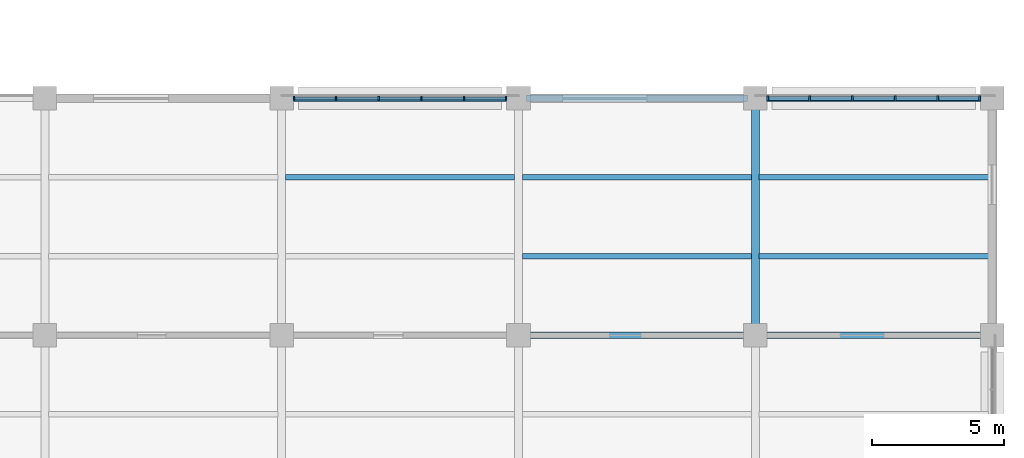
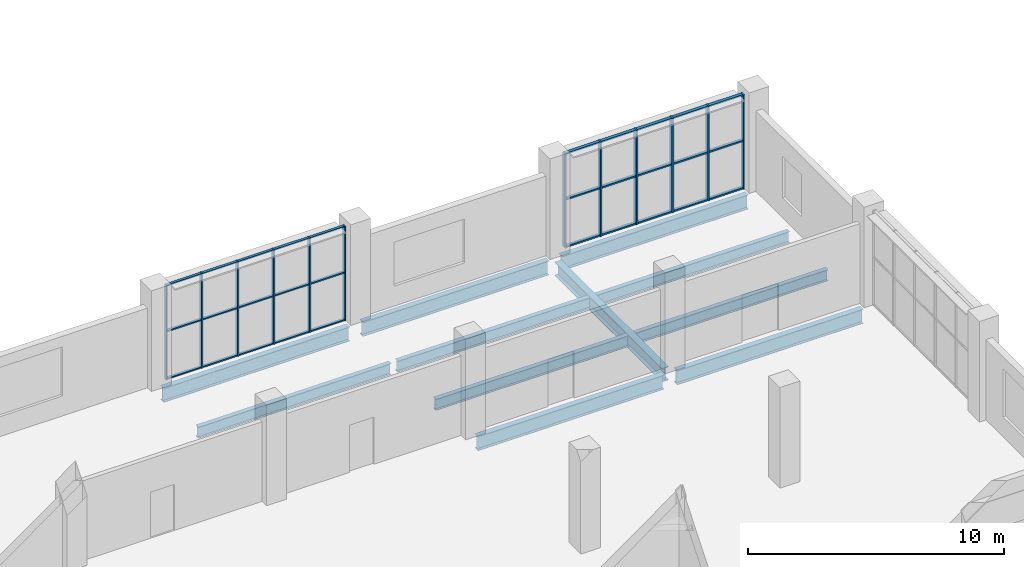
# One storey, part 35 of 183: 42 members, 11 beams, 2 elements without a shape of their own.
"""IFC4 building model written with IfcOpenShell, lengths in metres."""

import ifcopenshell
import ifcopenshell.guid

model = None  # the IFC model being written
_history = None  # IfcOwnerHistory: only IFC2X3 demands one
_inside = {}  # id of a spatial element -> (the spatial element, [elements in it])
_under = {}  # id of a project, library or spatial element -> (it, [spatial elements below it])
_declared = {}  # id of a project -> (the project, [libraries it declares])
_typed = {}  # id of a type object -> (the type object, [elements of that type])
_made_of = {}  # id of a material, layer set ... -> (it, [elements and type objects made of it])


def new_model(schema):
    """Start an empty IFC model of exactly this schema.

    Asked for "IFC4X3", IfcOpenShell would pick the latest addendum, in which some entities
    have other attributes; the version numbers below select the first issue.
    IFC2X3 requires an IfcOwnerHistory on every rooted entity: one is made here for all.
    """
    global model, _history
    if schema == "IFC4X3":
        model = ifcopenshell.file(schema_version=(4, 3, 0, 0))
    else:
        model = ifcopenshell.file(schema=schema)
    _inside.clear()
    _under.clear()
    _declared.clear()
    _typed.clear()
    _made_of.clear()
    _history = None
    if model.schema == "IFC2X3":
        org = make("IfcOrganization", Name="unknown")
        user = make(
            "IfcPersonAndOrganization",
            ThePerson=make("IfcPerson", FamilyName="unknown"),
            TheOrganization=org,
        )
        app = make(
            "IfcApplication",
            ApplicationDeveloper=org,
            Version="unknown",
            ApplicationFullName="unknown",
            ApplicationIdentifier="unknown",
        )
        _history = make(
            "IfcOwnerHistory",
            OwningUser=user,
            OwningApplication=app,
            ChangeAction="ADDED",
            CreationDate=0,
        )
    return model


def make(cls, **values):
    """One entity of the class cls with the attributes given. An attribute that is None is left unset."""
    return model.create_entity(
        cls, **{name: value for name, value in values.items() if value is not None}
    )


def rooted(cls, **values):
    """An entity with a GlobalId (a new one), such as an element, a storey or a relation."""
    return make(cls, GlobalId=ifcopenshell.guid.new(), OwnerHistory=_history, **values)


def si_unit(unit_type, name, prefix=None):
    """IfcSIUnit, for example si_unit("LENGTHUNIT", "METRE", prefix="MILLI")."""
    return make("IfcSIUnit", UnitType=unit_type, Prefix=prefix, Name=name)


def assignment(units):
    """IfcUnitAssignment: the units of a project."""
    return None if units is None else make("IfcUnitAssignment", Units=units)


def point(xyz):
    """IfcCartesianPoint."""
    return None if xyz is None else make("IfcCartesianPoint", Coordinates=xyz)


def direction(xyz):
    """IfcDirection."""
    return None if xyz is None else make("IfcDirection", DirectionRatios=xyz)


def frame(location, z_axis=None, x_axis=None):
    """IfcAxis2Placement3D, a coordinate frame: its origin and axes. An axis left out is left unset."""
    return make(
        "IfcAxis2Placement3D",
        Location=point(location),
        Axis=direction(z_axis),
        RefDirection=direction(x_axis),
    )


def frame_2d(location, x_axis=None):
    """IfcAxis2Placement2D, a coordinate frame in the plane: its origin and x axis."""
    return make(
        "IfcAxis2Placement2D", Location=point(location), RefDirection=direction(x_axis)
    )


def origin():
    """The frame at (0, 0, 0) with its axes left unset."""
    return frame((0.0, 0.0, 0.0))


def origin_2d():
    """The frame at (0, 0) in the plane with its x axis left unset."""
    return frame_2d((0.0, 0.0))


def place(relative_to, where):
    """IfcLocalPlacement: puts the frame where relative to a parent placement (None: the world)."""
    return make(
        "IfcLocalPlacement", PlacementRelTo=relative_to, RelativePlacement=where
    )


def context(
    kind, dimensions, precision=None, world=None, true_north=None, identifier=None
):
    """IfcGeometricRepresentationContext, for example the 3D "Model" context."""
    return make(
        "IfcGeometricRepresentationContext",
        ContextIdentifier=identifier,
        ContextType=kind,
        CoordinateSpaceDimension=dimensions,
        Precision=precision,
        WorldCoordinateSystem=world,
        TrueNorth=true_north,
    )


def subcontext(parent, identifier, kind, view, scale=None):
    """IfcGeometricRepresentationSubContext, for example "Body" below "Model"."""
    return make(
        "IfcGeometricRepresentationSubContext",
        ContextIdentifier=identifier,
        ContextType=kind,
        ParentContext=parent,
        TargetScale=scale,
        TargetView=view,
    )


def project(units=None, contexts=None):
    """IfcProject with its units and contexts."""
    return rooted(
        "IfcProject",
        Name="project",
        RepresentationContexts=contexts,
        UnitsInContext=assignment(units),
    )


def spatial(cls, under=None, at=None, **own):
    """A site, building, storey or space (cls), placed at a placement, below another one or the project."""
    s = rooted(cls, ObjectPlacement=at, **own)
    if under is not None:
        _under.setdefault(under.id(), (under, []))[1].append(s)
    return s


def profile(cls, at=None, kind="AREA", **sizes):
    """A parametric profile (cls). Its sizes go by their IFC names, for example OverallWidth=200.0."""
    return make(cls, ProfileType=kind, Position=at, **sizes)


def rectangle(**sizes):
    """IfcRectangleProfileDef."""
    return profile("IfcRectangleProfileDef", **sizes)


def i_section(**sizes):
    """IfcIShapeProfileDef."""
    return profile("IfcIShapeProfileDef", **sizes)


def extrude(swept, where, along, depth):
    """IfcExtrudedAreaSolid: the profile swept, set in the frame where, extruded along a direction by depth."""
    return make(
        "IfcExtrudedAreaSolid",
        SweptArea=swept,
        Position=where,
        ExtrudedDirection=direction(along),
        Depth=depth,
    )


def shape(context_of_items, identifier, shape_type, items):
    """IfcShapeRepresentation: the items that make up one representation, for example the "Body"."""
    return make(
        "IfcShapeRepresentation",
        ContextOfItems=context_of_items,
        RepresentationIdentifier=identifier,
        RepresentationType=shape_type,
        Items=items,
    )


def material(Name=None, Category=None):
    """IfcMaterial."""
    return make("IfcMaterial", Name=Name, Category=Category)


def material_profile(
    of_material, cross_section, Name=None, Category=None, Priority=None
):
    """IfcMaterialProfile: a cross section and its material."""
    return make(
        "IfcMaterialProfile",
        Name=Name,
        Material=of_material,
        Profile=cross_section,
        Priority=Priority,
        Category=Category,
    )


def profile_set(profiles, Name=None, composite=None):
    """IfcMaterialProfileSet."""
    return make(
        "IfcMaterialProfileSet",
        Name=Name,
        MaterialProfiles=profiles,
        CompositeProfile=composite,
    )


def made_of(thing, what):
    """Note that an element or type object is made of a material, layer set ...; save() writes the relation."""
    if what is not None:
        _made_of.setdefault(what.id(), (what, []))[1].append(thing)
    return thing


def type_object(cls, material=None, **own):
    """A type object (cls), such as IfcWallType, which elements share."""
    return made_of(rooted(cls, **own), material)


def element(
    cls,
    number,
    at=None,
    inside=None,
    cuts=None,
    type_object=None,
    material=None,
    context=None,
    identifier="Body",
    shape_type=None,
    held_by="IfcProductDefinitionShape",
    body=None,
    shapes=None,
    **own,
):
    """One element of the class cls, such as IfcWall. Its Tag is "e" and its number.

    at: its placement. inside: the storey or other place that contains it. cuts: it is an
    opening in that element (IfcRelVoidsElement). A single representation is given by context,
    identifier, shape_type and body (its items); several are given by shapes. held_by: the class
    of the entity that holds the representations. save() writes the other relations.
    """
    e = rooted(cls, Tag="e%d" % number, ObjectPlacement=at, **own)
    if body is not None:
        shapes = [shape(context, identifier, shape_type, body)]
    if shapes is not None:
        e.Representation = make(held_by, Representations=shapes)
    if inside is not None:
        _inside.setdefault(inside.id(), (inside, []))[1].append(e)
    if cuts is not None:
        rooted(
            "IfcRelVoidsElement", RelatingBuildingElement=cuts, RelatedOpeningElement=e
        )
    if type_object is not None:
        _typed.setdefault(type_object.id(), (type_object, []))[1].append(e)
    return made_of(e, material)


def aggregate(whole, parts):
    """IfcRelAggregates: a whole, such as a stair, and the parts it consists of."""
    return rooted("IfcRelAggregates", RelatingObject=whole, RelatedObjects=parts)


def save(model, path):
    """Write the relations noted so far, then the file.

    IfcRelAggregates (storeys below a building ...), IfcRelContainedInSpatialStructure (elements
    in a storey), IfcRelDefinesByType, IfcRelAssociatesMaterial and IfcRelDeclares: one each for
    every whole, place, type object, material and project.
    """
    for whole, parts in _under.values():
        aggregate(whole, parts)
    for where, things in _inside.values():
        rooted(
            "IfcRelContainedInSpatialStructure",
            RelatedElements=things,
            RelatingStructure=where,
        )
    for kind, things in _typed.values():
        rooted("IfcRelDefinesByType", RelatedObjects=things, RelatingType=kind)
    for what, things in _made_of.values():
        rooted("IfcRelAssociatesMaterial", RelatedObjects=things, RelatingMaterial=what)
    for by, libraries in _declared.values():
        rooted("IfcRelDeclares", RelatingContext=by, RelatedDefinitions=libraries)
    model.write(path)


model = new_model("IFC4")

# Units and contexts
model_context = context("Model", 3, precision=1e-05, world=origin(), true_north=direction((0.0, 1.0)))
body_context = subcontext(model_context, "Body", "Model", "MODEL_VIEW")
ifc_project = project(units=[si_unit("LENGTHUNIT", "METRE"), si_unit("AREAUNIT", "SQUARE_METRE"), si_unit("VOLUMEUNIT", "CUBIC_METRE"), si_unit("PLANEANGLEUNIT", "RADIAN"), si_unit("MASSUNIT", "GRAM", prefix="KILO")], contexts=[model_context])

# Site, building, storey
site_placement = place(None, origin())
site = spatial("IfcSite", under=ifc_project, at=site_placement, CompositionType="ELEMENT")
building_placement = place(site_placement, origin())
building = spatial("IfcBuilding", under=site, at=building_placement, Name="Zevraka Park Crest Stadium", CompositionType="ELEMENT")
storey_placement = place(building_placement, frame((0.0, 0.0, 5.39990234375)))
storey = spatial("IfcBuildingStorey", under=building, at=storey_placement, Name="L01", CompositionType="ELEMENT", Elevation=5.39990234375)

# Beams
ifc_material_1 = material(Name="Steel S355", Category="steel")
ifc_material_profile_1 = material_profile(ifc_material_1, i_section(OverallWidth=0.253662109375, OverallDepth=0.68359375, WebThickness=0.012451171875, FlangeThickness=0.01904296875, at=origin_2d()), Name="UKB 686x254x140")
ifc_profile_set_1 = profile_set([ifc_material_profile_1], Name="Steel S355")
beam_type_1 = type_object("IfcBeamType", Name="BG05", PredefinedType="BEAM", material=ifc_profile_set_1)
for number, where, z_axis, x_axis, name in (
    (1, (197.300048828125, 27.0, -0.649658203125), (1.0, 0.0, 0.0), (0.0, 1.0, 0.0), "Wing Girder BG05 L01-2223/D"),
    (2, (206.300048828125, 18.0, -0.649658203125), (1.0, 0.0, 0.0), (0.0, 1.0, 0.0), "Wing Girder BG05 L01-2324/C"),
    (3, (206.300048828125, 27.0, -0.649658203125), (1.0, 0.0, 0.0), (0.0, 1.0, 0.0), "Wing Girder BG05 L01-2324/D"),
    (4, (215.300048828125, 18.0, -0.649658203125), (1.0, 0.0, 0.0), (0.0, 1.0, 0.0), "Wing Girder BG05 L01-2425/C"),
    (5, (215.300048828125, 27.0, -0.649658203125), (1.0, 0.0, 0.0), (0.0, 1.0, 0.0), "Wing Girder BG05 L01-2425/D"),
):
    element("IfcBeam", number, at=place(storey_placement, frame(where, z_axis=z_axis, x_axis=x_axis)), inside=storey, type_object=beam_type_1, Name=name, PredefinedType="BEAM", context=body_context, shape_type="SweptSolid", body=[
        extrude(i_section(OverallWidth=0.253662109375, OverallDepth=0.68359375, WebThickness=0.012451171875, FlangeThickness=0.01904296875, at=origin_2d()), origin(), (0.0, 0.0, 1.0), 8.39990234375),
    ])
ifc_material_2 = material(Name="Steel S355", Category="steel")
ifc_material_profile_2 = material_profile(ifc_material_2, i_section(OverallWidth=0.300048828125, OverallDepth=0.64990234375, WebThickness=0.01611328125, FlangeThickness=0.031005859375, at=origin_2d()), Name="HEB 650")
ifc_profile_set_2 = profile_set([ifc_material_profile_2], Name="Steel S355")
beam_type_2 = type_object("IfcBeamType", Name="BG07", PredefinedType="BEAM", material=ifc_profile_set_2)
beam_placement = place(storey_placement, frame((215.0, 18.300048828125, -0.6328125), z_axis=(0.0, 1.0, 0.0), x_axis=(-1.0, 0.0, 0.0)))
element("IfcBeam", 6, at=beam_placement, inside=storey, type_object=beam_type_2, Name="Wing Girder BG07 L01-24/CD", PredefinedType="BEAM", context=body_context, shape_type="SweptSolid", body=[
    extrude(i_section(OverallWidth=0.300048828125, OverallDepth=0.64990234375, WebThickness=0.01611328125, FlangeThickness=0.031005859375, at=origin_2d()), origin(), (0.0, 0.0, 1.0), 8.39990234375),
])

# Curtain wall, members
ifc_material_3 = material(Name="Anodised architectural aluminium and laminated safety glass", Category="aluminium")
curtain_wall_type_1 = type_object("IfcCurtainWallType", Name="CW28", PredefinedType="NOTDEFINED", material=ifc_material_3)
curtain_wall_1_placement = place(storey_placement, origin())
curtain_wall_1 = element("IfcCurtainWall", 7, at=curtain_wall_1_placement, inside=storey, type_object=curtain_wall_type_1, Name="Wing Curtain Wall CW28 L01-SE-N-2", PredefinedType="NOTDEFINED")
ifc_material_4 = material(Name="Anodised architectural aluminium", Category="aluminium")
ifc_material_profile_3 = material_profile(ifc_material_4, rectangle(XDim=0.159912109375, YDim=0.06005859375, at=origin_2d()), Name="ALU MULLION 160x60")
ifc_profile_set_3 = profile_set([ifc_material_profile_3], Name="Anodised architectural aluminium")
member_type_1 = type_object("IfcMemberType", Name="CM01", PredefinedType="MULLION", material=ifc_profile_set_3)
member_1_placement = place(storey_placement, frame((197.469970703125, 27.0, 0.0), z_axis=(0.0, 0.0, 1.0), x_axis=(0.0, 1.0, 0.0)))
member_1 = element("IfcMember", 8, at=member_1_placement, type_object=member_type_1, Name="CW28 mullion 1", PredefinedType="MULLION", context=body_context, shape_type="SweptSolid", body=[
    extrude(rectangle(XDim=0.159912109375, YDim=0.06005859375, at=origin_2d()), origin(), (0.0, 0.0, 1.0), 4.52001953125),
])
member_2_placement = place(storey_placement, frame((199.06396484375, 27.0, 0.0), z_axis=(0.0, 0.0, 1.0), x_axis=(0.0, 1.0, 0.0)))
member_2 = element("IfcMember", 9, at=member_2_placement, type_object=member_type_1, Name="CW28 mullion 2", PredefinedType="MULLION", context=body_context, shape_type="SweptSolid", body=[
    extrude(rectangle(XDim=0.159912109375, YDim=0.06005859375, at=origin_2d()), origin(), (0.0, 0.0, 1.0), 4.52001953125),
])
member_3_placement = place(storey_placement, frame((200.68798828125, 27.0, 0.0), z_axis=(0.0, 0.0, 1.0), x_axis=(0.0, 1.0, 0.0)))
member_3 = element("IfcMember", 10, at=member_3_placement, type_object=member_type_1, Name="CW28 mullion 3", PredefinedType="MULLION", context=body_context, shape_type="SweptSolid", body=[
    extrude(rectangle(XDim=0.159912109375, YDim=0.06005859375, at=origin_2d()), origin(), (0.0, 0.0, 1.0), 4.52001953125),
])
member_4_placement = place(storey_placement, frame((202.31201171875, 27.0, 0.0), z_axis=(0.0, 0.0, 1.0), x_axis=(0.0, 1.0, 0.0)))
member_4 = element("IfcMember", 11, at=member_4_placement, type_object=member_type_1, Name="CW28 mullion 4", PredefinedType="MULLION", context=body_context, shape_type="SweptSolid", body=[
    extrude(rectangle(XDim=0.159912109375, YDim=0.06005859375, at=origin_2d()), origin(), (0.0, 0.0, 1.0), 4.52001953125),
])
member_5_placement = place(storey_placement, frame((203.93603515625, 27.0, 0.0), z_axis=(0.0, 0.0, 1.0), x_axis=(0.0, 1.0, 0.0)))
member_5 = element("IfcMember", 12, at=member_5_placement, type_object=member_type_1, Name="CW28 mullion 5", PredefinedType="MULLION", context=body_context, shape_type="SweptSolid", body=[
    extrude(rectangle(XDim=0.159912109375, YDim=0.06005859375, at=origin_2d()), origin(), (0.0, 0.0, 1.0), 4.52001953125),
])
member_6_placement = place(storey_placement, frame((205.530029296875, 27.0, 0.0), z_axis=(0.0, 0.0, 1.0), x_axis=(0.0, 1.0, 0.0)))
member_6 = element("IfcMember", 13, at=member_6_placement, type_object=member_type_1, Name="CW28 mullion 6", PredefinedType="MULLION", context=body_context, shape_type="SweptSolid", body=[
    extrude(rectangle(XDim=0.159912109375, YDim=0.06005859375, at=origin_2d()), origin(), (0.0, 0.0, 1.0), 4.52001953125),
])

ifc_material_5 = material(Name="Anodised architectural aluminium and laminated safety glass", Category="aluminium")
curtain_wall_type_2 = type_object("IfcCurtainWallType", Name="CW30", PredefinedType="NOTDEFINED", material=ifc_material_5)
curtain_wall_2_placement = place(storey_placement, origin())
curtain_wall_2 = element("IfcCurtainWall", 14, at=curtain_wall_2_placement, inside=storey, type_object=curtain_wall_type_2, Name="Wing Curtain Wall CW30 L01-SE-N-4", PredefinedType="NOTDEFINED")
ifc_material_6 = material(Name="Anodised architectural aluminium", Category="aluminium")
ifc_material_profile_4 = material_profile(ifc_material_6, rectangle(XDim=0.199951171875, YDim=0.070068359375, at=origin_2d()), Name="ALU MULLION 200x70")
ifc_profile_set_4 = profile_set([ifc_material_profile_4], Name="Anodised architectural aluminium")
member_type_2 = type_object("IfcMemberType", Name="CM03", PredefinedType="MULLION", material=ifc_profile_set_4)
member_7_placement = place(storey_placement, frame((215.47509765625, 27.0, 0.0), z_axis=(0.0, 0.0, 1.0), x_axis=(0.0, 1.0, 0.0)))
member_7 = element("IfcMember", 15, at=member_7_placement, type_object=member_type_2, Name="CW30 mullion 1", PredefinedType="MULLION", context=body_context, shape_type="SweptSolid", body=[
    extrude(rectangle(XDim=0.199951171875, YDim=0.070068359375, at=origin_2d()), origin(), (0.0, 0.0, 1.0), 4.52001953125),
])
member_8_placement = place(storey_placement, frame((217.06396484375, 27.0, 0.0), z_axis=(0.0, 0.0, 1.0), x_axis=(0.0, 1.0, 0.0)))
member_8 = element("IfcMember", 16, at=member_8_placement, type_object=member_type_2, Name="CW30 mullion 2", PredefinedType="MULLION", context=body_context, shape_type="SweptSolid", body=[
    extrude(rectangle(XDim=0.199951171875, YDim=0.070068359375, at=origin_2d()), origin(), (0.0, 0.0, 1.0), 4.52001953125),
])
member_9_placement = place(storey_placement, frame((218.68798828125, 27.0, 0.0), z_axis=(0.0, 0.0, 1.0), x_axis=(0.0, 1.0, 0.0)))
member_9 = element("IfcMember", 17, at=member_9_placement, type_object=member_type_2, Name="CW30 mullion 3", PredefinedType="MULLION", context=body_context, shape_type="SweptSolid", body=[
    extrude(rectangle(XDim=0.199951171875, YDim=0.070068359375, at=origin_2d()), origin(), (0.0, 0.0, 1.0), 4.52001953125),
])
member_10_placement = place(storey_placement, frame((220.31201171875, 27.0, 0.0), z_axis=(0.0, 0.0, 1.0), x_axis=(0.0, 1.0, 0.0)))
member_10 = element("IfcMember", 18, at=member_10_placement, type_object=member_type_2, Name="CW30 mullion 4", PredefinedType="MULLION", context=body_context, shape_type="SweptSolid", body=[
    extrude(rectangle(XDim=0.199951171875, YDim=0.070068359375, at=origin_2d()), origin(), (0.0, 0.0, 1.0), 4.52001953125),
])
member_11_placement = place(storey_placement, frame((221.93603515625, 27.0, 0.0), z_axis=(0.0, 0.0, 1.0), x_axis=(0.0, 1.0, 0.0)))
member_11 = element("IfcMember", 19, at=member_11_placement, type_object=member_type_2, Name="CW30 mullion 5", PredefinedType="MULLION", context=body_context, shape_type="SweptSolid", body=[
    extrude(rectangle(XDim=0.199951171875, YDim=0.070068359375, at=origin_2d()), origin(), (0.0, 0.0, 1.0), 4.52001953125),
])
member_12_placement = place(storey_placement, frame((223.52490234375, 27.0, 0.0), z_axis=(0.0, 0.0, 1.0), x_axis=(0.0, 1.0, 0.0)))
member_12 = element("IfcMember", 20, at=member_12_placement, type_object=member_type_2, Name="CW30 mullion 6", PredefinedType="MULLION", context=body_context, shape_type="SweptSolid", body=[
    extrude(rectangle(XDim=0.199951171875, YDim=0.070068359375, at=origin_2d()), origin(), (0.0, 0.0, 1.0), 4.52001953125),
])

# Member
ifc_material_7 = material(Name="Anodised architectural aluminium", Category="aluminium")
ifc_material_profile_5 = material_profile(ifc_material_7, rectangle(XDim=0.1201171875, YDim=0.06005859375, at=origin_2d()), Name="ALU TRANSOM 120x60")
ifc_profile_set_5 = profile_set([ifc_material_profile_5], Name="Anodised architectural aluminium")
member_type_3 = type_object("IfcMemberType", Name="CT01", PredefinedType="USERDEFINED", material=ifc_profile_set_5)
member_13_placement = place(storey_placement, frame((197.5, 27.0, 0.030029296875), z_axis=(1.0, 0.0, 0.0), x_axis=(0.0, 1.0, 0.0)))
member_13 = element("IfcMember", 21, at=member_13_placement, type_object=member_type_3, Name="CW28 transom 1.1", ObjectType="TRANSOM", PredefinedType="USERDEFINED", context=body_context, shape_type="SweptSolid", body=[
    extrude(rectangle(XDim=0.1201171875, YDim=0.06005859375, at=origin_2d()), origin(), (0.0, 0.0, 1.0), 1.533935546875),
])

member_14_placement = place(storey_placement, frame((197.5, 27.0, 2.300048828125), z_axis=(1.0, 0.0, 0.0), x_axis=(0.0, 1.0, 0.0)))
member_14 = element("IfcMember", 22, at=member_14_placement, type_object=member_type_3, Name="CW28 transom 1.2", ObjectType="TRANSOM", PredefinedType="USERDEFINED", context=body_context, shape_type="SweptSolid", body=[
    extrude(rectangle(XDim=0.1201171875, YDim=0.06005859375, at=origin_2d()), origin(), (0.0, 0.0, 1.0), 1.533935546875),
])

member_15_placement = place(storey_placement, frame((197.5, 27.0, 4.489990234375), z_axis=(1.0, 0.0, 0.0), x_axis=(0.0, 1.0, 0.0)))
member_15 = element("IfcMember", 23, at=member_15_placement, type_object=member_type_3, Name="CW28 transom 1.3", ObjectType="TRANSOM", PredefinedType="USERDEFINED", context=body_context, shape_type="SweptSolid", body=[
    extrude(rectangle(XDim=0.1201171875, YDim=0.06005859375, at=origin_2d()), origin(), (0.0, 0.0, 1.0), 1.533935546875),
])

member_16_placement = place(storey_placement, frame((199.093994140625, 27.0, 0.030029296875), z_axis=(1.0, 0.0, 0.0), x_axis=(0.0, 1.0, 0.0)))
member_16 = element("IfcMember", 24, at=member_16_placement, type_object=member_type_3, Name="CW28 transom 2.1", ObjectType="TRANSOM", PredefinedType="USERDEFINED", context=body_context, shape_type="SweptSolid", body=[
    extrude(rectangle(XDim=0.1201171875, YDim=0.06005859375, at=origin_2d()), origin(), (0.0, 0.0, 1.0), 1.56396484375),
])

member_17_placement = place(storey_placement, frame((199.093994140625, 27.0, 2.300048828125), z_axis=(1.0, 0.0, 0.0), x_axis=(0.0, 1.0, 0.0)))
member_17 = element("IfcMember", 25, at=member_17_placement, type_object=member_type_3, Name="CW28 transom 2.2", ObjectType="TRANSOM", PredefinedType="USERDEFINED", context=body_context, shape_type="SweptSolid", body=[
    extrude(rectangle(XDim=0.1201171875, YDim=0.06005859375, at=origin_2d()), origin(), (0.0, 0.0, 1.0), 1.56396484375),
])

member_18_placement = place(storey_placement, frame((199.093994140625, 27.0, 4.489990234375), z_axis=(1.0, 0.0, 0.0), x_axis=(0.0, 1.0, 0.0)))
member_18 = element("IfcMember", 26, at=member_18_placement, type_object=member_type_3, Name="CW28 transom 2.3", ObjectType="TRANSOM", PredefinedType="USERDEFINED", context=body_context, shape_type="SweptSolid", body=[
    extrude(rectangle(XDim=0.1201171875, YDim=0.06005859375, at=origin_2d()), origin(), (0.0, 0.0, 1.0), 1.56396484375),
])

member_19_placement = place(storey_placement, frame((200.718017578125, 27.0, 0.030029296875), z_axis=(1.0, 0.0, 0.0), x_axis=(0.0, 1.0, 0.0)))
member_19 = element("IfcMember", 27, at=member_19_placement, type_object=member_type_3, Name="CW28 transom 3.1", ObjectType="TRANSOM", PredefinedType="USERDEFINED", context=body_context, shape_type="SweptSolid", body=[
    extrude(rectangle(XDim=0.1201171875, YDim=0.06005859375, at=origin_2d()), origin(), (0.0, 0.0, 1.0), 1.56396484375),
])

member_20_placement = place(storey_placement, frame((200.718017578125, 27.0, 2.300048828125), z_axis=(1.0, 0.0, 0.0), x_axis=(0.0, 1.0, 0.0)))
member_20 = element("IfcMember", 28, at=member_20_placement, type_object=member_type_3, Name="CW28 transom 3.2", ObjectType="TRANSOM", PredefinedType="USERDEFINED", context=body_context, shape_type="SweptSolid", body=[
    extrude(rectangle(XDim=0.1201171875, YDim=0.06005859375, at=origin_2d()), origin(), (0.0, 0.0, 1.0), 1.56396484375),
])

member_21_placement = place(storey_placement, frame((200.718017578125, 27.0, 4.489990234375), z_axis=(1.0, 0.0, 0.0), x_axis=(0.0, 1.0, 0.0)))
member_21 = element("IfcMember", 29, at=member_21_placement, type_object=member_type_3, Name="CW28 transom 3.3", ObjectType="TRANSOM", PredefinedType="USERDEFINED", context=body_context, shape_type="SweptSolid", body=[
    extrude(rectangle(XDim=0.1201171875, YDim=0.06005859375, at=origin_2d()), origin(), (0.0, 0.0, 1.0), 1.56396484375),
])

member_22_placement = place(storey_placement, frame((202.342041015625, 27.0, 0.030029296875), z_axis=(1.0, 0.0, 0.0), x_axis=(0.0, 1.0, 0.0)))
member_22 = element("IfcMember", 30, at=member_22_placement, type_object=member_type_3, Name="CW28 transom 4.1", ObjectType="TRANSOM", PredefinedType="USERDEFINED", context=body_context, shape_type="SweptSolid", body=[
    extrude(rectangle(XDim=0.1201171875, YDim=0.06005859375, at=origin_2d()), origin(), (0.0, 0.0, 1.0), 1.56396484375),
])

member_23_placement = place(storey_placement, frame((202.342041015625, 27.0, 2.300048828125), z_axis=(1.0, 0.0, 0.0), x_axis=(0.0, 1.0, 0.0)))
member_23 = element("IfcMember", 31, at=member_23_placement, type_object=member_type_3, Name="CW28 transom 4.2", ObjectType="TRANSOM", PredefinedType="USERDEFINED", context=body_context, shape_type="SweptSolid", body=[
    extrude(rectangle(XDim=0.1201171875, YDim=0.06005859375, at=origin_2d()), origin(), (0.0, 0.0, 1.0), 1.56396484375),
])

member_24_placement = place(storey_placement, frame((202.342041015625, 27.0, 4.489990234375), z_axis=(1.0, 0.0, 0.0), x_axis=(0.0, 1.0, 0.0)))
member_24 = element("IfcMember", 32, at=member_24_placement, type_object=member_type_3, Name="CW28 transom 4.3", ObjectType="TRANSOM", PredefinedType="USERDEFINED", context=body_context, shape_type="SweptSolid", body=[
    extrude(rectangle(XDim=0.1201171875, YDim=0.06005859375, at=origin_2d()), origin(), (0.0, 0.0, 1.0), 1.56396484375),
])

member_25_placement = place(storey_placement, frame((203.966064453125, 27.0, 0.030029296875), z_axis=(1.0, 0.0, 0.0), x_axis=(0.0, 1.0, 0.0)))
member_25 = element("IfcMember", 33, at=member_25_placement, type_object=member_type_3, Name="CW28 transom 5.1", ObjectType="TRANSOM", PredefinedType="USERDEFINED", context=body_context, shape_type="SweptSolid", body=[
    extrude(rectangle(XDim=0.1201171875, YDim=0.06005859375, at=origin_2d()), origin(), (0.0, 0.0, 1.0), 1.533935546875),
])

member_26_placement = place(storey_placement, frame((203.966064453125, 27.0, 2.300048828125), z_axis=(1.0, 0.0, 0.0), x_axis=(0.0, 1.0, 0.0)))
member_26 = element("IfcMember", 34, at=member_26_placement, type_object=member_type_3, Name="CW28 transom 5.2", ObjectType="TRANSOM", PredefinedType="USERDEFINED", context=body_context, shape_type="SweptSolid", body=[
    extrude(rectangle(XDim=0.1201171875, YDim=0.06005859375, at=origin_2d()), origin(), (0.0, 0.0, 1.0), 1.533935546875),
])

member_27_placement = place(storey_placement, frame((203.966064453125, 27.0, 4.489990234375), z_axis=(1.0, 0.0, 0.0), x_axis=(0.0, 1.0, 0.0)))
member_27 = element("IfcMember", 35, at=member_27_placement, type_object=member_type_3, Name="CW28 transom 5.3", ObjectType="TRANSOM", PredefinedType="USERDEFINED", context=body_context, shape_type="SweptSolid", body=[
    extrude(rectangle(XDim=0.1201171875, YDim=0.06005859375, at=origin_2d()), origin(), (0.0, 0.0, 1.0), 1.533935546875),
])

aggregate(curtain_wall_1, [member_1, member_2, member_3, member_4, member_5, member_6, member_13, member_14, member_15, member_16, member_17, member_18, member_19, member_20, member_21, member_22, member_23, member_24, member_25, member_26, member_27])

ifc_material_8 = material(Name="Anodised architectural aluminium", Category="aluminium")
ifc_material_profile_6 = material_profile(ifc_material_8, rectangle(XDim=0.14990234375, YDim=0.070068359375, at=origin_2d()), Name="ALU TRANSOM 150x70")
ifc_profile_set_6 = profile_set([ifc_material_profile_6], Name="Anodised architectural aluminium")
member_type_4 = type_object("IfcMemberType", Name="CT03", PredefinedType="USERDEFINED", material=ifc_profile_set_6)
member_28_placement = place(storey_placement, frame((215.510009765625, 27.0, 0.03515625), z_axis=(1.0, 0.0, 0.0), x_axis=(0.0, 1.0, 0.0)))
member_28 = element("IfcMember", 36, at=member_28_placement, type_object=member_type_4, Name="CW30 transom 1.1", ObjectType="TRANSOM", PredefinedType="USERDEFINED", context=body_context, shape_type="SweptSolid", body=[
    extrude(rectangle(XDim=0.14990234375, YDim=0.070068359375, at=origin_2d()), origin(), (0.0, 0.0, 1.0), 1.51904296875),
])

member_29_placement = place(storey_placement, frame((215.510009765625, 27.0, 2.300048828125), z_axis=(1.0, 0.0, 0.0), x_axis=(0.0, 1.0, 0.0)))
member_29 = element("IfcMember", 37, at=member_29_placement, type_object=member_type_4, Name="CW30 transom 1.2", ObjectType="TRANSOM", PredefinedType="USERDEFINED", context=body_context, shape_type="SweptSolid", body=[
    extrude(rectangle(XDim=0.14990234375, YDim=0.070068359375, at=origin_2d()), origin(), (0.0, 0.0, 1.0), 1.51904296875),
])

member_30_placement = place(storey_placement, frame((215.510009765625, 27.0, 4.485107421875), z_axis=(1.0, 0.0, 0.0), x_axis=(0.0, 1.0, 0.0)))
member_30 = element("IfcMember", 38, at=member_30_placement, type_object=member_type_4, Name="CW30 transom 1.3", ObjectType="TRANSOM", PredefinedType="USERDEFINED", context=body_context, shape_type="SweptSolid", body=[
    extrude(rectangle(XDim=0.14990234375, YDim=0.070068359375, at=origin_2d()), origin(), (0.0, 0.0, 1.0), 1.51904296875),
])

member_31_placement = place(storey_placement, frame((217.09912109375, 27.0, 0.03515625), z_axis=(1.0, 0.0, 0.0), x_axis=(0.0, 1.0, 0.0)))
member_31 = element("IfcMember", 39, at=member_31_placement, type_object=member_type_4, Name="CW30 transom 2.1", ObjectType="TRANSOM", PredefinedType="USERDEFINED", context=body_context, shape_type="SweptSolid", body=[
    extrude(rectangle(XDim=0.14990234375, YDim=0.070068359375, at=origin_2d()), origin(), (0.0, 0.0, 1.0), 1.553955078125),
])

member_32_placement = place(storey_placement, frame((217.09912109375, 27.0, 2.300048828125), z_axis=(1.0, 0.0, 0.0), x_axis=(0.0, 1.0, 0.0)))
member_32 = element("IfcMember", 40, at=member_32_placement, type_object=member_type_4, Name="CW30 transom 2.2", ObjectType="TRANSOM", PredefinedType="USERDEFINED", context=body_context, shape_type="SweptSolid", body=[
    extrude(rectangle(XDim=0.14990234375, YDim=0.070068359375, at=origin_2d()), origin(), (0.0, 0.0, 1.0), 1.553955078125),
])

member_33_placement = place(storey_placement, frame((217.09912109375, 27.0, 4.485107421875), z_axis=(1.0, 0.0, 0.0), x_axis=(0.0, 1.0, 0.0)))
member_33 = element("IfcMember", 41, at=member_33_placement, type_object=member_type_4, Name="CW30 transom 2.3", ObjectType="TRANSOM", PredefinedType="USERDEFINED", context=body_context, shape_type="SweptSolid", body=[
    extrude(rectangle(XDim=0.14990234375, YDim=0.070068359375, at=origin_2d()), origin(), (0.0, 0.0, 1.0), 1.553955078125),
])

member_34_placement = place(storey_placement, frame((218.722900390625, 27.0, 0.03515625), z_axis=(1.0, 0.0, 0.0), x_axis=(0.0, 1.0, 0.0)))
member_34 = element("IfcMember", 42, at=member_34_placement, type_object=member_type_4, Name="CW30 transom 3.1", ObjectType="TRANSOM", PredefinedType="USERDEFINED", context=body_context, shape_type="SweptSolid", body=[
    extrude(rectangle(XDim=0.14990234375, YDim=0.070068359375, at=origin_2d()), origin(), (0.0, 0.0, 1.0), 1.55419921875),
])

member_35_placement = place(storey_placement, frame((218.722900390625, 27.0, 2.300048828125), z_axis=(1.0, 0.0, 0.0), x_axis=(0.0, 1.0, 0.0)))
member_35 = element("IfcMember", 43, at=member_35_placement, type_object=member_type_4, Name="CW30 transom 3.2", ObjectType="TRANSOM", PredefinedType="USERDEFINED", context=body_context, shape_type="SweptSolid", body=[
    extrude(rectangle(XDim=0.14990234375, YDim=0.070068359375, at=origin_2d()), origin(), (0.0, 0.0, 1.0), 1.55419921875),
])

member_36_placement = place(storey_placement, frame((218.722900390625, 27.0, 4.485107421875), z_axis=(1.0, 0.0, 0.0), x_axis=(0.0, 1.0, 0.0)))
member_36 = element("IfcMember", 44, at=member_36_placement, type_object=member_type_4, Name="CW30 transom 3.3", ObjectType="TRANSOM", PredefinedType="USERDEFINED", context=body_context, shape_type="SweptSolid", body=[
    extrude(rectangle(XDim=0.14990234375, YDim=0.070068359375, at=origin_2d()), origin(), (0.0, 0.0, 1.0), 1.55419921875),
])

member_37_placement = place(storey_placement, frame((220.346923828125, 27.0, 0.03515625), z_axis=(1.0, 0.0, 0.0), x_axis=(0.0, 1.0, 0.0)))
member_37 = element("IfcMember", 45, at=member_37_placement, type_object=member_type_4, Name="CW30 transom 4.1", ObjectType="TRANSOM", PredefinedType="USERDEFINED", context=body_context, shape_type="SweptSolid", body=[
    extrude(rectangle(XDim=0.14990234375, YDim=0.070068359375, at=origin_2d()), origin(), (0.0, 0.0, 1.0), 1.553955078125),
])

member_38_placement = place(storey_placement, frame((220.346923828125, 27.0, 2.300048828125), z_axis=(1.0, 0.0, 0.0), x_axis=(0.0, 1.0, 0.0)))
member_38 = element("IfcMember", 46, at=member_38_placement, type_object=member_type_4, Name="CW30 transom 4.2", ObjectType="TRANSOM", PredefinedType="USERDEFINED", context=body_context, shape_type="SweptSolid", body=[
    extrude(rectangle(XDim=0.14990234375, YDim=0.070068359375, at=origin_2d()), origin(), (0.0, 0.0, 1.0), 1.553955078125),
])

member_39_placement = place(storey_placement, frame((220.346923828125, 27.0, 4.485107421875), z_axis=(1.0, 0.0, 0.0), x_axis=(0.0, 1.0, 0.0)))
member_39 = element("IfcMember", 47, at=member_39_placement, type_object=member_type_4, Name="CW30 transom 4.3", ObjectType="TRANSOM", PredefinedType="USERDEFINED", context=body_context, shape_type="SweptSolid", body=[
    extrude(rectangle(XDim=0.14990234375, YDim=0.070068359375, at=origin_2d()), origin(), (0.0, 0.0, 1.0), 1.553955078125),
])

member_40_placement = place(storey_placement, frame((221.970947265625, 27.0, 0.03515625), z_axis=(1.0, 0.0, 0.0), x_axis=(0.0, 1.0, 0.0)))
member_40 = element("IfcMember", 48, at=member_40_placement, type_object=member_type_4, Name="CW30 transom 5.1", ObjectType="TRANSOM", PredefinedType="USERDEFINED", context=body_context, shape_type="SweptSolid", body=[
    extrude(rectangle(XDim=0.14990234375, YDim=0.070068359375, at=origin_2d()), origin(), (0.0, 0.0, 1.0), 1.51904296875),
])

member_41_placement = place(storey_placement, frame((221.970947265625, 27.0, 2.300048828125), z_axis=(1.0, 0.0, 0.0), x_axis=(0.0, 1.0, 0.0)))
member_41 = element("IfcMember", 49, at=member_41_placement, type_object=member_type_4, Name="CW30 transom 5.2", ObjectType="TRANSOM", PredefinedType="USERDEFINED", context=body_context, shape_type="SweptSolid", body=[
    extrude(rectangle(XDim=0.14990234375, YDim=0.070068359375, at=origin_2d()), origin(), (0.0, 0.0, 1.0), 1.51904296875),
])

member_42_placement = place(storey_placement, frame((221.970947265625, 27.0, 4.485107421875), z_axis=(1.0, 0.0, 0.0), x_axis=(0.0, 1.0, 0.0)))
member_42 = element("IfcMember", 50, at=member_42_placement, type_object=member_type_4, Name="CW30 transom 5.3", ObjectType="TRANSOM", PredefinedType="USERDEFINED", context=body_context, shape_type="SweptSolid", body=[
    extrude(rectangle(XDim=0.14990234375, YDim=0.070068359375, at=origin_2d()), origin(), (0.0, 0.0, 1.0), 1.51904296875),
])

aggregate(curtain_wall_2, [member_7, member_8, member_9, member_10, member_11, member_12, member_28, member_29, member_30, member_31, member_32, member_33, member_34, member_35, member_36, member_37, member_38, member_39, member_40, member_41, member_42])

# Beams
ifc_material_9 = material(Name="Steel S355", Category="steel")
ifc_material_profile_7 = material_profile(ifc_material_9, i_section(OverallWidth=0.209228515625, OverallDepth=0.533203125, WebThickness=0.010009765625, FlangeThickness=0.015625, at=origin_2d()), Name="UKB 533x210x92")
ifc_profile_set_7 = profile_set([ifc_material_profile_7], Name="Steel S355")
beam_type_3 = type_object("IfcBeamType", Name="SJ05", PredefinedType="JOIST", material=ifc_profile_set_7)
for number, where, z_axis, x_axis, name in (
    (51, (197.14501953125, 24.0, -0.576416015625), (1.0, 0.0, 0.0), (0.0, 1.0, 0.0), "Wing Joist SJ05 L01-22/C-2"),
    (52, (206.14501953125, 21.0, -0.576416015625), (1.0, 0.0, 0.0), (0.0, 1.0, 0.0), "Wing Joist SJ05 L01-23/C-1"),
    (53, (206.14501953125, 24.0, -0.576416015625), (1.0, 0.0, 0.0), (0.0, 1.0, 0.0), "Wing Joist SJ05 L01-23/C-2"),
    (54, (215.14501953125, 21.0, -0.576416015625), (1.0, 0.0, 0.0), (0.0, 1.0, 0.0), "Wing Joist SJ05 L01-24/C-1"),
    (55, (215.14501953125, 24.0, -0.576416015625), (1.0, 0.0, 0.0), (0.0, 1.0, 0.0), "Wing Joist SJ05 L01-24/C-2"),
):
    element("IfcBeam", number, at=place(storey_placement, frame(where, z_axis=z_axis, x_axis=x_axis)), inside=storey, type_object=beam_type_3, Name=name, PredefinedType="JOIST", context=body_context, shape_type="SweptSolid", body=[
        extrude(i_section(OverallWidth=0.209228515625, OverallDepth=0.533203125, WebThickness=0.010009765625, FlangeThickness=0.015625, at=origin_2d()), origin(), (0.0, 0.0, 1.0), 8.7099609375),
    ])

save(model, "model.ifc")
